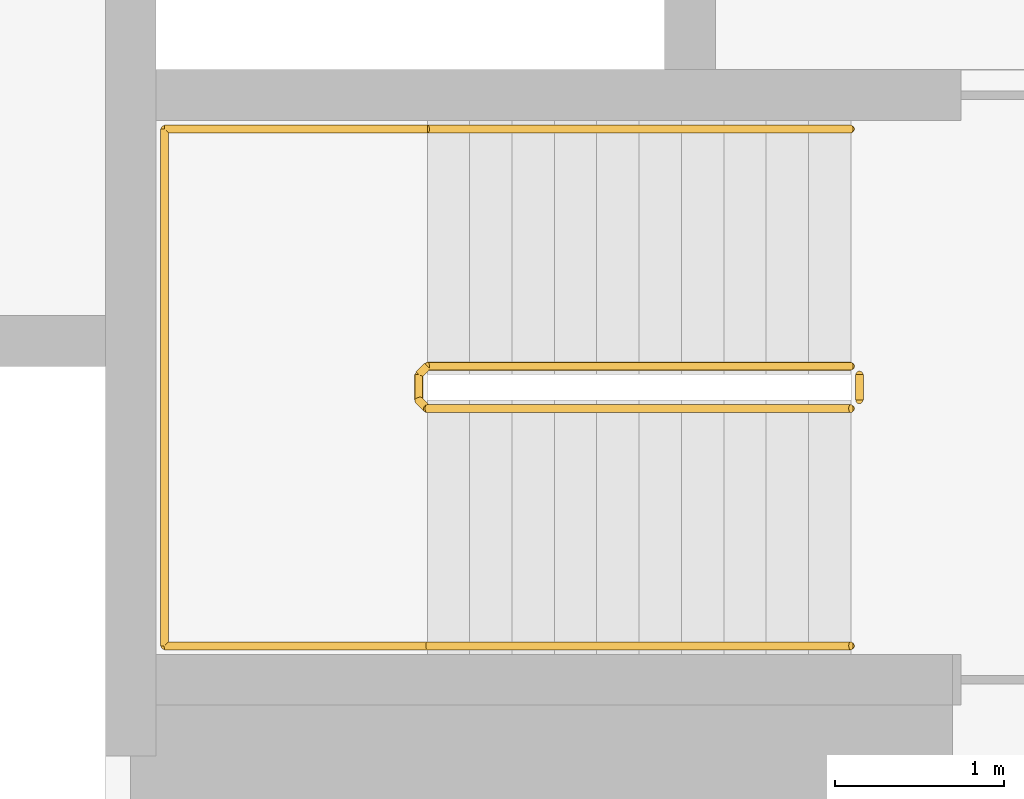
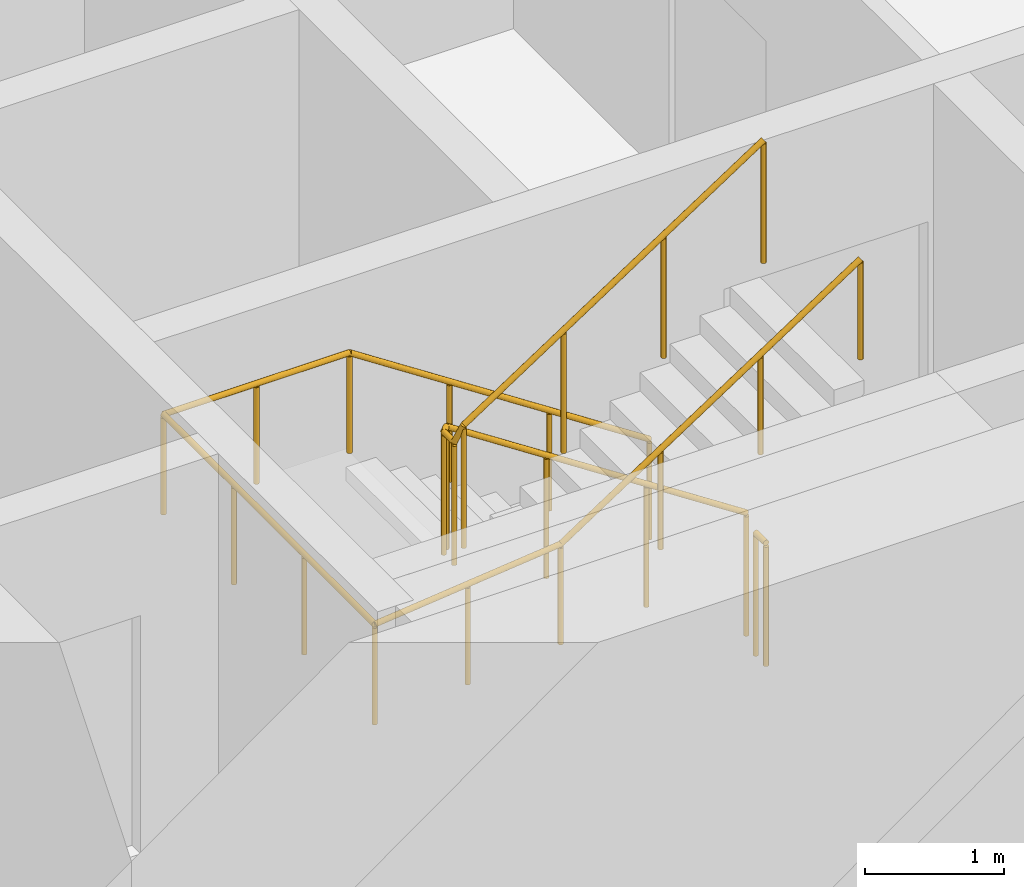
# One storey, part 11 of 13: 3 railings.
"""IFC4 building model written with IfcOpenShell, lengths in metres."""

from ifc_helpers import new_model, si_unit, direction, frame, origin, origin_2d, place, context, subcontext, project, spatial, circle, extrude, material, type_object, element, save


model = new_model("IFC4")

# Units and contexts
model_context = context("Model", 3, precision=1e-05, world=origin(), true_north=direction((0.0, 1.0)))
body_context = subcontext(model_context, "Body", "Model", "MODEL_VIEW")
ifc_project = project(units=[si_unit("LENGTHUNIT", "METRE"), si_unit("AREAUNIT", "SQUARE_METRE"), si_unit("VOLUMEUNIT", "CUBIC_METRE"), si_unit("PLANEANGLEUNIT", "RADIAN"), si_unit("MASSUNIT", "GRAM", prefix="KILO")], contexts=[model_context])

# Site, building, storey
site_placement = place(None, origin())
site = spatial("IfcSite", under=ifc_project, at=site_placement, CompositionType="ELEMENT")
building_placement = place(site_placement, origin())
building = spatial("IfcBuilding", under=site, at=building_placement, Name="Tracery Tower", CompositionType="ELEMENT")
storey_placement = place(building_placement, frame((0.0, 0.0, 126.0)))
storey = spatial("IfcBuildingStorey", under=building, at=storey_placement, Name="L31", CompositionType="ELEMENT", Elevation=126.0)

# Railings
ifc_material_1 = material(Name="Stainless steel and laminated glass", Category="steel")
railing_type_1 = type_object("IfcRailingType", Name="Stair guard 1100", PredefinedType="GUARDRAIL", material=ifc_material_1)
railing_1_placement = place(storey_placement, frame((-4.800048828125, -4.699951171875, 0.16357421875)))
element("IfcRailing", 1, at=railing_1_placement, inside=storey, type_object=railing_type_1, Name="L31 stair ST1 guard 1", PredefinedType="GUARDRAIL", context=body_context, shape_type="SweptSolid", body=[
    extrude(circle(Radius=0.02392578125, at=origin_2d()), frame((0.0, 0.0, 1.076171875), z_axis=(-0.83668449804, 0.0, 0.54768517484), x_axis=(0.0, -1.0, 0.0)), (0.0, 0.0, 1.0), 2.988037109375),
    extrude(circle(Radius=0.02392578125, at=origin_2d()), frame((-2.5, 0.0, 2.71240234375), z_axis=(-0.707106781187, -0.707106781187, 0.0), x_axis=(0.707106781187, -0.707106781187, 0.0)), (0.0, 0.0, 1.0), 0.07080078125),
    extrude(circle(Radius=0.02392578125, at=origin_2d()), frame((-2.550048828125, -0.050048828125, 2.71240234375), z_axis=(0.0, -1.0, 0.0), x_axis=(1.0, 0.0, 0.0)), (0.0, 0.0, 1.0), 0.14990234375),
    extrude(circle(Radius=0.02392578125, at=origin_2d()), frame((-2.550048828125, -0.199951171875, 2.71240234375), z_axis=(0.280808744504, -0.280808744504, 0.917765164963), x_axis=(0.707106781187, 0.707106781187, 0.0)), (0.0, 0.0, 1.0), 0.17822265625),
    extrude(circle(Radius=0.02392578125, at=origin_2d()), frame((-2.5, -0.25, 2.8759765625), z_axis=(0.83668449804, 0.0, 0.54768517484), x_axis=(0.0, 1.0, 0.0)), (0.0, 0.0, 1.0), 2.988037109375),
    extrude(circle(Radius=0.02099609375, at=origin_2d()), origin(), (0.0, 0.0, 1.0), 1.052001953125),
    extrude(circle(Radius=0.02099609375, at=origin_2d()), frame((-0.833251953125, 0.0, 0.54541015625)), (0.0, 0.0, 1.0), 1.052001953125),
    extrude(circle(Radius=0.02099609375, at=origin_2d()), frame((-1.666748046875, 0.0, 1.091064453125)), (0.0, 0.0, 1.0), 1.052001953125),
    extrude(circle(Radius=0.02099609375, at=origin_2d()), frame((-2.5, 0.0, 1.636474609375)), (0.0, 0.0, 1.0), 1.052001953125),
    extrude(circle(Radius=0.02099609375, at=origin_2d()), frame((-2.550048828125, -0.050048828125, 1.636474609375)), (0.0, 0.0, 1.0), 1.052001953125),
    extrude(circle(Radius=0.02099609375, at=origin_2d()), frame((-2.550048828125, -0.199951171875, 1.636474609375)), (0.0, 0.0, 1.0), 1.052001953125),
    extrude(circle(Radius=0.02099609375, at=origin_2d()), frame((-2.5, -0.25, 1.800048828125)), (0.0, 0.0, 1.0), 1.052001953125),
    extrude(circle(Radius=0.02099609375, at=origin_2d()), frame((-1.666748046875, -0.25, 2.345458984375)), (0.0, 0.0, 1.0), 1.052001953125),
    extrude(circle(Radius=0.02099609375, at=origin_2d()), frame((-0.833251953125, -0.25, 2.89111328125)), (0.0, 0.0, 1.0), 1.052001953125),
    extrude(circle(Radius=0.02099609375, at=origin_2d()), frame((0.0, -0.25, 3.4365234375)), (0.0, 0.0, 1.0), 1.052001953125),
])
railing_2_placement = place(storey_placement, frame((-4.75, -4.75, 0.0)))
element("IfcRailing", 2, at=railing_2_placement, inside=storey, type_object=railing_type_1, Name="L31 stair ST1 guard 2", PredefinedType="GUARDRAIL", context=body_context, shape_type="SweptSolid", body=[
    extrude(circle(Radius=0.02392578125, at=origin_2d()), frame((0.0, 0.0, 1.076171875), z_axis=(0.0, -1.0, 0.0), x_axis=(1.0, 0.0, 0.0)), (0.0, 0.0, 1.0), 0.14990234375),
    extrude(circle(Radius=0.02099609375, at=origin_2d()), origin(), (0.0, 0.0, 1.0), 1.052001953125),
    extrude(circle(Radius=0.02099609375, at=origin_2d()), frame((0.0, -0.14990234375, 0.0)), (0.0, 0.0, 1.0), 1.052001953125),
])
ifc_material_2 = material(Name="Stainless steel and laminated glass", Category="steel")
railing_type_2 = type_object("IfcRailingType", Name="Stair handrail 900", PredefinedType="HANDRAIL", material=ifc_material_2)
railing_3_placement = place(storey_placement, frame((-4.800048828125, -3.300048828125, 0.16357421875)))
element("IfcRailing", 3, at=railing_3_placement, inside=storey, type_object=railing_type_2, Name="L31 stair ST1 handrail 1", PredefinedType="HANDRAIL", context=body_context, shape_type="SweptSolid", body=[
    extrude(circle(Radius=0.02392578125, at=origin_2d()), frame((0.0, 0.0, 0.8759765625), z_axis=(-0.83668449804, 0.0, 0.54768517484), x_axis=(0.0, -1.0, 0.0)), (0.0, 0.0, 1.0), 2.988037109375),
    extrude(circle(Radius=0.02392578125, at=origin_2d()), frame((-2.5, 0.0, 2.51220703125), z_axis=(-1.0, 0.0, 0.0), x_axis=(0.0, -1.0, 0.0)), (0.0, 0.0, 1.0), 1.550048828125),
    extrude(circle(Radius=0.02392578125, at=origin_2d()), frame((-4.050048828125, 0.0, 2.51220703125), z_axis=(0.0, -1.0, 0.0), x_axis=(1.0, 0.0, 0.0)), (0.0, 0.0, 1.0), 3.050048828125),
    extrude(circle(Radius=0.02392578125, at=origin_2d()), frame((-4.050048828125, -3.050048828125, 2.51220703125), z_axis=(0.994477953863, 0.0, 0.104945696817), x_axis=(0.0, 1.0, 0.0)), (0.0, 0.0, 1.0), 1.55859375),
    extrude(circle(Radius=0.02392578125, at=origin_2d()), frame((-2.5, -3.050048828125, 2.67578125), z_axis=(0.83668449804, 0.0, 0.54768517484), x_axis=(0.0, 1.0, 0.0)), (0.0, 0.0, 1.0), 2.988037109375),
    extrude(circle(Radius=0.02099609375, at=origin_2d()), origin(), (0.0, 0.0, 1.0), 0.851806640625),
    extrude(circle(Radius=0.02099609375, at=origin_2d()), frame((-0.833251953125, 0.0, 0.54541015625)), (0.0, 0.0, 1.0), 0.851806640625),
    extrude(circle(Radius=0.02099609375, at=origin_2d()), frame((-1.666748046875, 0.0, 1.091064453125)), (0.0, 0.0, 1.0), 0.851806640625),
    extrude(circle(Radius=0.02099609375, at=origin_2d()), frame((-2.5, 0.0, 1.636474609375)), (0.0, 0.0, 1.0), 0.851806640625),
    extrude(circle(Radius=0.02099609375, at=origin_2d()), frame((-3.27490234375, 0.0, 1.636474609375)), (0.0, 0.0, 1.0), 0.851806640625),
    extrude(circle(Radius=0.02099609375, at=origin_2d()), frame((-4.050048828125, 0.0, 1.636474609375)), (0.0, 0.0, 1.0), 0.851806640625),
    extrude(circle(Radius=0.02099609375, at=origin_2d()), frame((-4.050048828125, -1.0166015625, 1.636474609375)), (0.0, 0.0, 1.0), 0.851806640625),
    extrude(circle(Radius=0.02099609375, at=origin_2d()), frame((-4.050048828125, -2.033447265625, 1.636474609375)), (0.0, 0.0, 1.0), 0.851806640625),
    extrude(circle(Radius=0.02099609375, at=origin_2d()), frame((-4.050048828125, -3.050048828125, 1.636474609375)), (0.0, 0.0, 1.0), 0.851806640625),
    extrude(circle(Radius=0.02099609375, at=origin_2d()), frame((-3.27490234375, -3.050048828125, 1.71826171875)), (0.0, 0.0, 1.0), 0.851806640625),
    extrude(circle(Radius=0.02099609375, at=origin_2d()), frame((-2.5, -3.050048828125, 1.800048828125)), (0.0, 0.0, 1.0), 0.851806640625),
    extrude(circle(Radius=0.02099609375, at=origin_2d()), frame((-1.666748046875, -3.050048828125, 2.345458984375)), (0.0, 0.0, 1.0), 0.851806640625),
    extrude(circle(Radius=0.02099609375, at=origin_2d()), frame((-0.833251953125, -3.050048828125, 2.89111328125)), (0.0, 0.0, 1.0), 0.851806640625),
    extrude(circle(Radius=0.02099609375, at=origin_2d()), frame((0.0, -3.050048828125, 3.4365234375)), (0.0, 0.0, 1.0), 0.851806640625),
])

save(model, "model.ifc")
